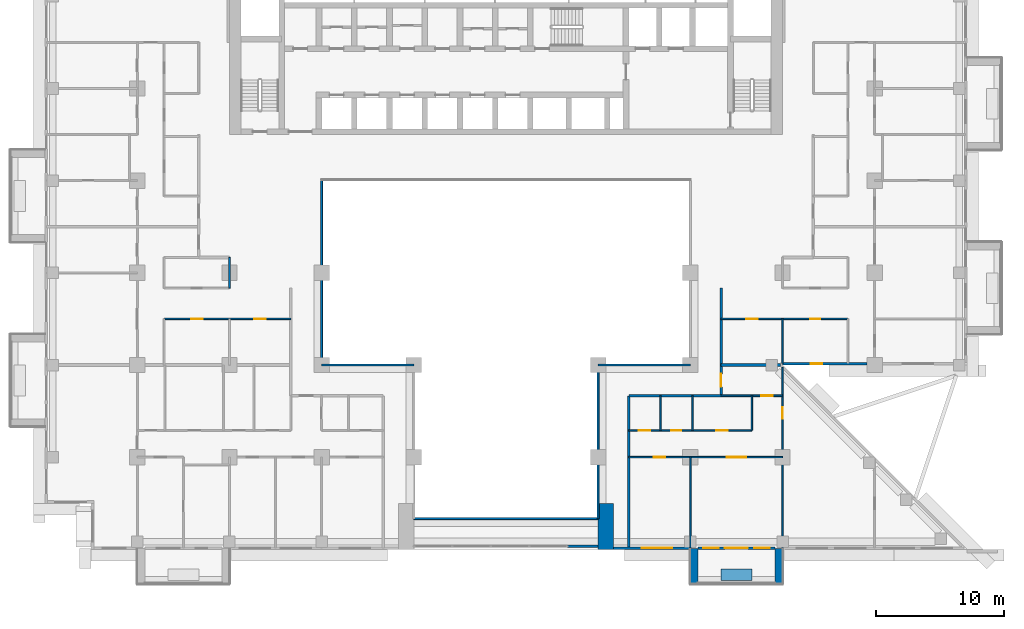
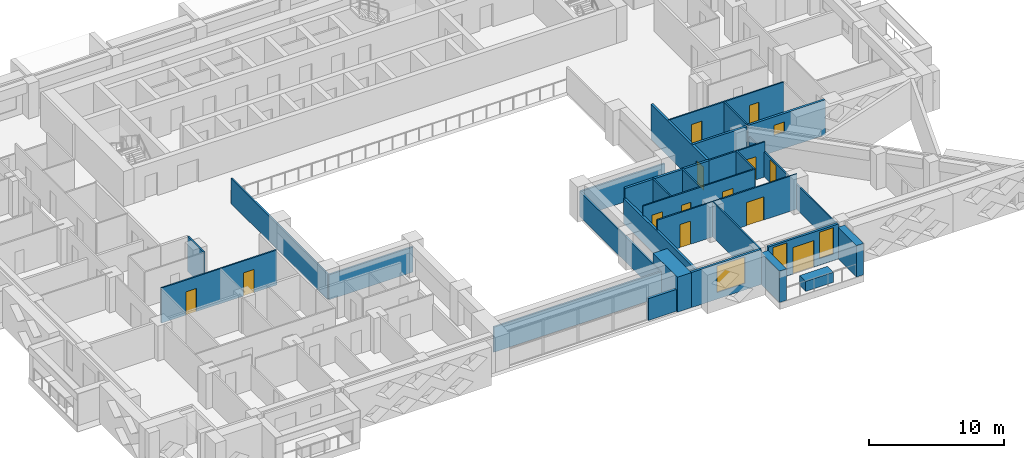
# One storey, part 8 of 17: 29 walls, 13 doors, 4 windows, 17 openings.
"""IFC4 building model written with IfcOpenShell, lengths in metres."""

import ifcopenshell
import ifcopenshell.guid

model = None  # the IFC model being written
_history = None  # IfcOwnerHistory: only IFC2X3 demands one
_inside = {}  # id of a spatial element -> (the spatial element, [elements in it])
_under = {}  # id of a project, library or spatial element -> (it, [spatial elements below it])
_declared = {}  # id of a project -> (the project, [libraries it declares])
_typed = {}  # id of a type object -> (the type object, [elements of that type])
_made_of = {}  # id of a material, layer set ... -> (it, [elements and type objects made of it])


def new_model(schema):
    """Start an empty IFC model of exactly this schema.

    Asked for "IFC4X3", IfcOpenShell would pick the latest addendum, in which some entities
    have other attributes; the version numbers below select the first issue.
    IFC2X3 requires an IfcOwnerHistory on every rooted entity: one is made here for all.
    """
    global model, _history
    if schema == "IFC4X3":
        model = ifcopenshell.file(schema_version=(4, 3, 0, 0))
    else:
        model = ifcopenshell.file(schema=schema)
    _inside.clear()
    _under.clear()
    _declared.clear()
    _typed.clear()
    _made_of.clear()
    _history = None
    if model.schema == "IFC2X3":
        org = make("IfcOrganization", Name="unknown")
        user = make(
            "IfcPersonAndOrganization",
            ThePerson=make("IfcPerson", FamilyName="unknown"),
            TheOrganization=org,
        )
        app = make(
            "IfcApplication",
            ApplicationDeveloper=org,
            Version="unknown",
            ApplicationFullName="unknown",
            ApplicationIdentifier="unknown",
        )
        _history = make(
            "IfcOwnerHistory",
            OwningUser=user,
            OwningApplication=app,
            ChangeAction="ADDED",
            CreationDate=0,
        )
    return model


def make(cls, **values):
    """One entity of the class cls with the attributes given. An attribute that is None is left unset."""
    return model.create_entity(
        cls, **{name: value for name, value in values.items() if value is not None}
    )


def rooted(cls, **values):
    """An entity with a GlobalId (a new one), such as an element, a storey or a relation."""
    return make(cls, GlobalId=ifcopenshell.guid.new(), OwnerHistory=_history, **values)


def si_unit(unit_type, name, prefix=None):
    """IfcSIUnit, for example si_unit("LENGTHUNIT", "METRE", prefix="MILLI")."""
    return make("IfcSIUnit", UnitType=unit_type, Prefix=prefix, Name=name)


def assignment(units):
    """IfcUnitAssignment: the units of a project."""
    return None if units is None else make("IfcUnitAssignment", Units=units)


def point(xyz):
    """IfcCartesianPoint."""
    return None if xyz is None else make("IfcCartesianPoint", Coordinates=xyz)


def direction(xyz):
    """IfcDirection."""
    return None if xyz is None else make("IfcDirection", DirectionRatios=xyz)


def frame(location, z_axis=None, x_axis=None):
    """IfcAxis2Placement3D, a coordinate frame: its origin and axes. An axis left out is left unset."""
    return make(
        "IfcAxis2Placement3D",
        Location=point(location),
        Axis=direction(z_axis),
        RefDirection=direction(x_axis),
    )


def frame_2d(location, x_axis=None):
    """IfcAxis2Placement2D, a coordinate frame in the plane: its origin and x axis."""
    return make(
        "IfcAxis2Placement2D", Location=point(location), RefDirection=direction(x_axis)
    )


def origin():
    """The frame at (0, 0, 0) with its axes left unset."""
    return frame((0.0, 0.0, 0.0))


def place(relative_to, where):
    """IfcLocalPlacement: puts the frame where relative to a parent placement (None: the world)."""
    return make(
        "IfcLocalPlacement", PlacementRelTo=relative_to, RelativePlacement=where
    )


def context(
    kind, dimensions, precision=None, world=None, true_north=None, identifier=None
):
    """IfcGeometricRepresentationContext, for example the 3D "Model" context."""
    return make(
        "IfcGeometricRepresentationContext",
        ContextIdentifier=identifier,
        ContextType=kind,
        CoordinateSpaceDimension=dimensions,
        Precision=precision,
        WorldCoordinateSystem=world,
        TrueNorth=true_north,
    )


def subcontext(parent, identifier, kind, view, scale=None):
    """IfcGeometricRepresentationSubContext, for example "Body" below "Model"."""
    return make(
        "IfcGeometricRepresentationSubContext",
        ContextIdentifier=identifier,
        ContextType=kind,
        ParentContext=parent,
        TargetScale=scale,
        TargetView=view,
    )


def project(units=None, contexts=None):
    """IfcProject with its units and contexts."""
    return rooted(
        "IfcProject",
        Name="project",
        RepresentationContexts=contexts,
        UnitsInContext=assignment(units),
    )


def spatial(cls, under=None, at=None, **own):
    """A site, building, storey or space (cls), placed at a placement, below another one or the project."""
    s = rooted(cls, ObjectPlacement=at, **own)
    if under is not None:
        _under.setdefault(under.id(), (under, []))[1].append(s)
    return s


def profile(cls, at=None, kind="AREA", **sizes):
    """A parametric profile (cls). Its sizes go by their IFC names, for example OverallWidth=200.0."""
    return make(cls, ProfileType=kind, Position=at, **sizes)


def rectangle(**sizes):
    """IfcRectangleProfileDef."""
    return profile("IfcRectangleProfileDef", **sizes)


def extrude(swept, where, along, depth):
    """IfcExtrudedAreaSolid: the profile swept, set in the frame where, extruded along a direction by depth."""
    return make(
        "IfcExtrudedAreaSolid",
        SweptArea=swept,
        Position=where,
        ExtrudedDirection=direction(along),
        Depth=depth,
    )


def shape(context_of_items, identifier, shape_type, items):
    """IfcShapeRepresentation: the items that make up one representation, for example the "Body"."""
    return make(
        "IfcShapeRepresentation",
        ContextOfItems=context_of_items,
        RepresentationIdentifier=identifier,
        RepresentationType=shape_type,
        Items=items,
    )


def material(Name=None, Category=None):
    """IfcMaterial."""
    return make("IfcMaterial", Name=Name, Category=Category)


def layer(
    of_material, thickness, ventilated=None, Name=None, Category=None, Priority=None
):
    """IfcMaterialLayer: one layer of a wall or slab, of a material (None: an air gap)."""
    return make(
        "IfcMaterialLayer",
        Material=of_material,
        LayerThickness=thickness,
        IsVentilated=ventilated,
        Name=Name,
        Category=Category,
        Priority=Priority,
    )


def layer_set(layers, Name=None):
    """IfcMaterialLayerSet."""
    return make("IfcMaterialLayerSet", MaterialLayers=layers, LayerSetName=Name)


def made_of(thing, what):
    """Note that an element or type object is made of a material, layer set ...; save() writes the relation."""
    if what is not None:
        _made_of.setdefault(what.id(), (what, []))[1].append(thing)
    return thing


def type_object(cls, material=None, **own):
    """A type object (cls), such as IfcWallType, which elements share."""
    return made_of(rooted(cls, **own), material)


def element(
    cls,
    number,
    at=None,
    inside=None,
    cuts=None,
    type_object=None,
    material=None,
    context=None,
    identifier="Body",
    shape_type=None,
    held_by="IfcProductDefinitionShape",
    body=None,
    shapes=None,
    **own,
):
    """One element of the class cls, such as IfcWall. Its Tag is "e" and its number.

    at: its placement. inside: the storey or other place that contains it. cuts: it is an
    opening in that element (IfcRelVoidsElement). A single representation is given by context,
    identifier, shape_type and body (its items); several are given by shapes. held_by: the class
    of the entity that holds the representations. save() writes the other relations.
    """
    e = rooted(cls, Tag="e%d" % number, ObjectPlacement=at, **own)
    if body is not None:
        shapes = [shape(context, identifier, shape_type, body)]
    if shapes is not None:
        e.Representation = make(held_by, Representations=shapes)
    if inside is not None:
        _inside.setdefault(inside.id(), (inside, []))[1].append(e)
    if cuts is not None:
        rooted(
            "IfcRelVoidsElement", RelatingBuildingElement=cuts, RelatedOpeningElement=e
        )
    if type_object is not None:
        _typed.setdefault(type_object.id(), (type_object, []))[1].append(e)
    return made_of(e, material)


def fill(opening, filler):
    """IfcRelFillsElement: the door or window that sits in an opening."""
    return rooted(
        "IfcRelFillsElement",
        RelatingOpeningElement=opening,
        RelatedBuildingElement=filler,
    )


def aggregate(whole, parts):
    """IfcRelAggregates: a whole, such as a stair, and the parts it consists of."""
    return rooted("IfcRelAggregates", RelatingObject=whole, RelatedObjects=parts)


def save(model, path):
    """Write the relations noted so far, then the file.

    IfcRelAggregates (storeys below a building ...), IfcRelContainedInSpatialStructure (elements
    in a storey), IfcRelDefinesByType, IfcRelAssociatesMaterial and IfcRelDeclares: one each for
    every whole, place, type object, material and project.
    """
    for whole, parts in _under.values():
        aggregate(whole, parts)
    for where, things in _inside.values():
        rooted(
            "IfcRelContainedInSpatialStructure",
            RelatedElements=things,
            RelatingStructure=where,
        )
    for kind, things in _typed.values():
        rooted("IfcRelDefinesByType", RelatedObjects=things, RelatingType=kind)
    for what, things in _made_of.values():
        rooted("IfcRelAssociatesMaterial", RelatedObjects=things, RelatingMaterial=what)
    for by, libraries in _declared.values():
        rooted("IfcRelDeclares", RelatingContext=by, RelatedDefinitions=libraries)
    model.write(path)


model = new_model("IFC4")

# Units and contexts
model_context = context("Model", 3, precision=1e-05, world=origin(), true_north=direction((0.0, 1.0)))
body_context = subcontext(model_context, "Body", "Model", "MODEL_VIEW")
ifc_project = project(units=[si_unit("LENGTHUNIT", "METRE"), si_unit("AREAUNIT", "SQUARE_METRE"), si_unit("VOLUMEUNIT", "CUBIC_METRE"), si_unit("PLANEANGLEUNIT", "RADIAN"), si_unit("MASSUNIT", "GRAM", prefix="KILO")], contexts=[model_context])

# Site, building, storey
site_placement = place(None, origin())
site = spatial("IfcSite", under=ifc_project, at=site_placement, CompositionType="ELEMENT")
building_placement = place(site_placement, origin())
building = spatial("IfcBuilding", under=site, at=building_placement, Name="Saffron Iwan Residences", CompositionType="ELEMENT")
storey_placement = place(building_placement, frame((0.0, 0.0, 93.5)))
storey = spatial("IfcBuildingStorey", under=building, at=storey_placement, Name="L24", CompositionType="ELEMENT", Elevation=93.5)

# Walls
ifc_material_1 = material(Name="Fire-rated glazing", Category="glass")
ifc_layer_1 = layer(ifc_material_1, 0.14990234375)
ifc_layer_set_1 = layer_set([ifc_layer_1], Name="Fire-rated glazing")
wall_type_1 = type_object("IfcWallType", Name="Atrium glazed screen 150", PredefinedType="SOLIDWALL", material=ifc_layer_set_1)
wall_1_placement = place(storey_placement, frame((43.199951171875, 36.0, 0.0), z_axis=(0.0, 0.0, 1.0), x_axis=(1.0, 0.0, 0.0)))
element("IfcWall", 1, at=wall_1_placement, inside=storey, type_object=wall_type_1, Name="W-L24-SCREEN-h36-43.2", PredefinedType="SOLIDWALL", context=body_context, shape_type="SweptSolid", body=[
    extrude(rectangle(XDim=14.400146484375, YDim=0.14990234375, at=frame_2d((7.2001953125, 0.0))), origin(), (0.0, 0.0, 1.0), 2.280029296875),
])
for number, where, z_axis, x_axis, name in (
    (2, (36.0, 48.0, 0.0), (0.0, 0.0, 1.0), (1.0, 0.0, 0.0), "W-L24-SCREEN-h48-36"),
    (3, (57.60009765625, 48.0, 0.0), (0.0, 0.0, 1.0), (1.0, 0.0, 0.0), "W-L24-SCREEN-h48-57.6"),
):
    element("IfcWall", number, at=place(storey_placement, frame(where, z_axis=z_axis, x_axis=x_axis)), inside=storey, type_object=wall_type_1, Name=name, PredefinedType="SOLIDWALL", context=body_context, shape_type="SweptSolid", body=[
        extrude(rectangle(XDim=7.199951171875, YDim=0.14990234375, at=frame_2d((3.60009765625, 0.0))), origin(), (0.0, 0.0, 1.0), 2.280029296875),
    ])
wall_2_placement = place(storey_placement, frame((36.0, 48.0, 0.0), z_axis=(0.0, 0.0, 1.0), x_axis=(0.0, 1.0, 0.0)))
element("IfcWall", 4, at=wall_2_placement, inside=storey, type_object=wall_type_1, Name="W-L24-SCREEN-v36-48", PredefinedType="SOLIDWALL", context=body_context, shape_type="SweptSolid", body=[
    extrude(rectangle(XDim=14.39990234375, YDim=0.14990234375, at=frame_2d((7.199951171875, 0.0))), origin(), (0.0, 0.0, 1.0), 2.280029296875),
])
wall_3_placement = place(storey_placement, frame((57.60009765625, 36.0, 0.0), z_axis=(0.0, 0.0, 1.0), x_axis=(0.0, 1.0, 0.0)))
element("IfcWall", 5, at=wall_3_placement, inside=storey, type_object=wall_type_1, Name="W-L24-SCREEN-v57.6-36", PredefinedType="SOLIDWALL", context=body_context, shape_type="SweptSolid", body=[
    extrude(rectangle(XDim=12.0, YDim=0.14990234375, at=frame_2d((6.0, 0.0))), origin(), (0.0, 0.0, 1.0), 2.280029296875),
])
ifc_material_2 = material(Name="Concrete C50/60 white painted", Category="concrete")
ifc_layer_2 = layer(ifc_material_2, 0.60009765625)
ifc_layer_set_2 = layer_set([ifc_layer_2], Name="Concrete C50/60 white painted")
wall_type_2 = type_object("IfcWallType", Name="BALCONY FIN 600", PredefinedType="SOLIDWALL", material=ifc_layer_set_2)
for number, where, z_axis, x_axis, name in (
    (6, (65.10009765625, 33.64990234375, 0.0), (0.0, 0.0, 1.0), (0.0, -1.0, 0.0), "Balcony fin L24 11-1a"),
    (7, (71.699951171875, 33.64990234375, 0.0), (0.0, 0.0, 1.0), (0.0, -1.0, 0.0), "Balcony fin L24 11-1b"),
):
    element("IfcWall", number, at=place(storey_placement, frame(where, z_axis=z_axis, x_axis=x_axis)), inside=storey, type_object=wall_type_2, Name=name, PredefinedType="SOLIDWALL", context=body_context, shape_type="SweptSolid", body=[
        extrude(rectangle(XDim=2.75, YDim=0.60009765625, at=frame_2d((1.375, 0.0))), origin(), (0.0, 0.0, 1.0), 2.85009765625),
    ])
ifc_material_3 = material(Name="Concrete C35/45 white painted", Category="concrete")
ifc_layer_3 = layer(ifc_material_3, 0.14990234375)
ifc_layer_set_3 = layer_set([ifc_layer_3], Name="Concrete C35/45 white painted")
wall_type_3 = type_object("IfcWallType", Name="BALCONY PLANTER", PredefinedType="SOLIDWALL", material=ifc_layer_set_3)
wall_4_placement = place(storey_placement, frame((67.199951171875, 31.625, 0.0), z_axis=(0.0, 0.0, 1.0), x_axis=(1.0, 0.0, 0.0)))
element("IfcWall", 8, at=wall_4_placement, inside=storey, type_object=wall_type_3, Name="PLANTER L24 11-1", PredefinedType="SOLIDWALL", context=body_context, shape_type="SweptSolid", body=[
    extrude(rectangle(XDim=2.400146484375, YDim=0.89990234375, at=frame_2d((1.2001953125, 0.0))), origin(), (0.0, 0.0, 1.0), 0.89990234375),
])

# Wall, opening, window
ifc_material_4 = material(Name="Concrete C40/50", Category="concrete")
ifc_layer_4 = layer(ifc_material_4, 0.199951171875)
ifc_layer_set_4 = layer_set([ifc_layer_4], Name="Concrete C40/50")
wall_type_4 = type_object("IfcWallType", Name="EXTERNAL WALL 200", PredefinedType="SOLIDWALL", material=ifc_layer_set_4)
wall_5_placement = place(storey_placement, frame((71.988525390625, 48.10009765625, 0.0), z_axis=(0.0, 0.0, 1.0), x_axis=(1.0, 0.0, 0.0)))
wall_5 = element("IfcWall", 9, at=wall_5_placement, inside=storey, type_object=wall_type_4, Name="External wall L24 F1.0", PredefinedType="SOLIDWALL", context=body_context, shape_type="SweptSolid", body=[
    extrude(rectangle(XDim=6.611572265625, YDim=0.199951171875, at=frame_2d((3.3056640625, 0.0))), origin(), (0.0, 0.0, 1.0), 3.179931640625),
])
opening_1_placement = place(wall_5_placement, frame((2.205810546875, 0.0, 1.5)))
opening_1 = element("IfcOpeningElement", 10, at=opening_1_placement, cuts=wall_5, Name="Opening W6", PredefinedType="OPENING", context=body_context, shape_type="SweptSolid", body=[
    extrude(rectangle(XDim=0.89990234375, YDim=0.89990234375, at=frame_2d((0.449951171875, 0.449951171875))), frame((0.0, 0.10986328125, 0.0), z_axis=(0.0, -1.0, 0.0), x_axis=(1.0, 0.0, 0.0)), (0.0, 0.0, 1.0), 0.219970703125),
])
ifc_material_5 = material(Name="Clear glass, laminated double glazed", Category="glass")
window_type_1 = type_object("IfcWindowType", Name="WINDOW 900 x 900 BATH", PartitioningType="SINGLE_PANEL", PredefinedType="WINDOW", material=ifc_material_5)
window_1_placement = place(opening_1_placement, origin())
window_1 = element("IfcWindow", 11, at=window_1_placement, inside=storey, type_object=window_type_1, Name="Window L24 F1.0", OverallHeight=0.89990234375, OverallWidth=0.89990234375, PartitioningType="SINGLE_PANEL", PredefinedType="WINDOW", context=body_context, shape_type="SweptSolid", body=[
    extrude(rectangle(XDim=0.89990234375, YDim=0.89990234375, at=frame_2d((0.449951171875, 0.449951171875))), frame((0.0, 0.030029296875, 0.0), z_axis=(0.0, -1.0, 0.0), x_axis=(1.0, 0.0, 0.0)), (0.0, 0.0, 1.0), 0.06005859375),
])
fill(opening_1, window_1)

wall_6_placement = place(storey_placement, frame((58.800048828125, 33.699951171875, 0.0), z_axis=(0.0, 0.0, 1.0), x_axis=(1.0, 0.0, 0.0)))
wall_6 = element("IfcWall", 12, at=wall_6_placement, inside=storey, type_object=wall_type_4, Name="External wall L24 F11.3", PredefinedType="SOLIDWALL", context=body_context, shape_type="SweptSolid", body=[
    extrude(rectangle(XDim=6.0, YDim=0.199951171875, at=frame_2d((3.0, 0.0))), origin(), (0.0, 0.0, 1.0), 3.179931640625),
])
opening_2_placement = place(wall_6_placement, frame((2.199951171875, 0.0, 0.60009765625)))
opening_2 = element("IfcOpeningElement", 13, at=opening_2_placement, cuts=wall_6, Name="Opening W1", PredefinedType="OPENING", context=body_context, shape_type="SweptSolid", body=[
    extrude(rectangle(XDim=2.39990234375, YDim=2.39990234375, at=frame_2d((1.199951171875, 1.199951171875))), frame((0.0, 0.10986328125, 0.0), z_axis=(0.0, -1.0, 0.0), x_axis=(1.0, 0.0, 0.0)), (0.0, 0.0, 1.0), 0.219970703125),
])
window_type_2 = type_object("IfcWindowType", Name="WINDOW 2400 x 2400", PartitioningType="DOUBLE_PANEL_VERTICAL", PredefinedType="WINDOW", material=ifc_material_5)
window_2_placement = place(opening_2_placement, origin())
window_2 = element("IfcWindow", 14, at=window_2_placement, inside=storey, type_object=window_type_2, Name="Window L24 F11.0", OverallHeight=2.39990234375, OverallWidth=2.39990234375, PartitioningType="DOUBLE_PANEL_VERTICAL", PredefinedType="WINDOW", context=body_context, shape_type="SweptSolid", body=[
    extrude(rectangle(XDim=2.39990234375, YDim=2.39990234375, at=frame_2d((1.199951171875, 1.199951171875))), frame((0.0, 0.030029296875, 0.0), z_axis=(0.0, -1.0, 0.0), x_axis=(1.0, 0.0, 0.0)), (0.0, 0.0, 1.0), 0.06005859375),
])
fill(opening_2, window_2)

# Wall, openings, door, windows
wall_7_placement = place(storey_placement, frame((65.39990234375, 33.699951171875, 0.0), z_axis=(0.0, 0.0, 1.0), x_axis=(1.0, 0.0, 0.0)))
wall_7 = element("IfcWall", 15, at=wall_7_placement, inside=storey, type_object=wall_type_4, Name="External wall L24 F11.4", PredefinedType="SOLIDWALL", context=body_context, shape_type="SweptSolid", body=[
    extrude(rectangle(XDim=6.0, YDim=0.199951171875, at=frame_2d((3.0, 0.0))), origin(), (0.0, 0.0, 1.0), 3.179931640625),
])
opening_3_placement = place(wall_7_placement, frame((2.10009765625, 0.0, 0.0)))
opening_3 = element("IfcOpeningElement", 16, at=opening_3_placement, cuts=wall_7, Name="Opening BD1", PredefinedType="OPENING", context=body_context, shape_type="SweptSolid", body=[
    extrude(rectangle(XDim=1.800048828125, YDim=2.39990234375, at=frame_2d((0.89990234375, 1.199951171875))), frame((0.0, 0.10986328125, 0.0), z_axis=(0.0, -1.0, 0.0), x_axis=(1.0, 0.0, 0.0)), (0.0, 0.0, 1.0), 0.219970703125),
])
opening_4_placement = place(wall_7_placement, frame((0.39990234375, 0.0, 0.60009765625)))
opening_4 = element("IfcOpeningElement", 17, at=opening_4_placement, cuts=wall_7, Name="Opening W3", PredefinedType="OPENING", context=body_context, shape_type="SweptSolid", body=[
    extrude(rectangle(XDim=1.199951171875, YDim=2.39990234375, at=frame_2d((0.60009765625, 1.199951171875))), frame((0.0, 0.10986328125, 0.0), z_axis=(0.0, -1.0, 0.0), x_axis=(1.0, 0.0, 0.0)), (0.0, 0.0, 1.0), 0.219970703125),
])
opening_5_placement = place(wall_7_placement, frame((4.39990234375, 0.0, 0.60009765625)))
opening_5 = element("IfcOpeningElement", 18, at=opening_5_placement, cuts=wall_7, Name="Opening W3", PredefinedType="OPENING", context=body_context, shape_type="SweptSolid", body=[
    extrude(rectangle(XDim=1.199951171875, YDim=2.39990234375, at=frame_2d((0.60009765625, 1.199951171875))), frame((0.0, 0.10986328125, 0.0), z_axis=(0.0, -1.0, 0.0), x_axis=(1.0, 0.0, 0.0)), (0.0, 0.0, 1.0), 0.219970703125),
])
door_type_1 = type_object("IfcDoorType", Name="BALCONY DOOR 1800 x 2400", OperationType="DOUBLE_DOOR_SLIDING", PredefinedType="DOOR", material=ifc_material_5)
door_1_placement = place(opening_3_placement, origin())
door_1 = element("IfcDoor", 19, at=door_1_placement, inside=storey, type_object=door_type_1, Name="Balcony door L24 F11.0", OperationType="DOUBLE_DOOR_SLIDING", OverallHeight=2.39990234375, OverallWidth=1.800048828125, PredefinedType="DOOR", context=body_context, shape_type="SweptSolid", body=[
    extrude(rectangle(XDim=1.800048828125, YDim=2.39990234375, at=frame_2d((0.89990234375, 1.199951171875))), frame((0.0, 0.02490234375, 0.0), z_axis=(0.0, -1.0, 0.0), x_axis=(1.0, 0.0, 0.0)), (0.0, 0.0, 1.0), 0.050048828125),
])
fill(opening_3, door_1)
window_type_3 = type_object("IfcWindowType", Name="WINDOW 1200 x 2400", PartitioningType="SINGLE_PANEL", PredefinedType="WINDOW", material=ifc_material_5)
window_3_placement = place(opening_4_placement, origin())
window_3 = element("IfcWindow", 20, at=window_3_placement, inside=storey, type_object=window_type_3, Name="Window L24 F11.1", OverallHeight=2.39990234375, OverallWidth=1.199951171875, PartitioningType="SINGLE_PANEL", PredefinedType="WINDOW", context=body_context, shape_type="SweptSolid", body=[
    extrude(rectangle(XDim=1.199951171875, YDim=2.39990234375, at=frame_2d((0.60009765625, 1.199951171875))), frame((0.0, 0.030029296875, 0.0), z_axis=(0.0, -1.0, 0.0), x_axis=(1.0, 0.0, 0.0)), (0.0, 0.0, 1.0), 0.06005859375),
])
fill(opening_4, window_3)
window_4_placement = place(opening_5_placement, origin())
window_4 = element("IfcWindow", 21, at=window_4_placement, inside=storey, type_object=window_type_3, Name="Window L24 F11.2", OverallHeight=2.39990234375, OverallWidth=1.199951171875, PartitioningType="SINGLE_PANEL", PredefinedType="WINDOW", context=body_context, shape_type="SweptSolid", body=[
    extrude(rectangle(XDim=1.199951171875, YDim=2.39990234375, at=frame_2d((0.60009765625, 1.199951171875))), frame((0.0, 0.030029296875, 0.0), z_axis=(0.0, -1.0, 0.0), x_axis=(1.0, 0.0, 0.0)), (0.0, 0.0, 1.0), 0.06005859375),
])
fill(opening_5, window_4)

# Walls
wall_8_placement = place(storey_placement, frame((55.199951171875, 33.85009765625, 0.0), z_axis=(0.0, 0.0, 1.0), x_axis=(1.0, 0.0, 0.0)))
element("IfcWall", 22, at=wall_8_placement, inside=storey, type_object=wall_type_4, Name="External wall infill CWB-L24-0", PredefinedType="SOLIDWALL", context=body_context, shape_type="SweptSolid", body=[
    extrude(rectangle(XDim=2.400146484375, YDim=0.199951171875, at=frame_2d((1.2001953125, 0.0))), origin(), (0.0, 0.0, 1.0), 1.97998046875),
])
ifc_material_6 = material(Name="Fire-rated gypsum board wall")
ifc_layer_5 = layer(ifc_material_6, 0.199951171875)
ifc_layer_set_5 = layer_set([ifc_layer_5], Name="Fire-rated gypsum board wall")
wall_type_5 = type_object("IfcWallType", Name="Flat demising wall 200", PredefinedType="SOLIDWALL", material=ifc_layer_set_5)
wall_9_placement = place(storey_placement, frame((67.199951171875, 48.0, 0.0), z_axis=(0.0, 0.0, 1.0), x_axis=(1.0, 0.0, 0.0)))
element("IfcWall", 23, at=wall_9_placement, inside=storey, type_object=wall_type_5, Name="W-L24-DEMISE-h48-67.2", PredefinedType="SOLIDWALL", context=body_context, shape_type="SweptSolid", body=[
    extrude(rectangle(XDim=4.623046875, YDim=0.199951171875, at=frame_2d((2.3115234375, 0.0))), origin(), (0.0, 0.0, 1.0), 3.179931640625),
])

# Wall, openings, doors
ifc_material_7 = material(Name="Gypsum board partition")
ifc_layer_6 = layer(ifc_material_7, 0.1201171875)
ifc_layer_set_6 = layer_set([ifc_layer_6], Name="Gypsum board partition")
wall_type_6 = type_object("IfcWallType", Name="Flat partition 120", PredefinedType="PARTITIONING", material=ifc_layer_set_6)
wall_10_placement = place(storey_placement, frame((60.0, 40.800048828125, 0.0), z_axis=(0.0, 0.0, 1.0), x_axis=(1.0, 0.0, 0.0)))
wall_10 = element("IfcWall", 24, at=wall_10_placement, inside=storey, type_object=wall_type_6, Name="W-L24-PART-h40.8-60", PredefinedType="PARTITIONING", context=body_context, shape_type="SweptSolid", body=[
    extrude(rectangle(XDim=12.0, YDim=0.1201171875, at=frame_2d((6.0, 0.0))), origin(), (0.0, 0.0, 1.0), 3.179931640625),
])
opening_6_placement = place(wall_10_placement, frame((7.64990234375, 0.0, 0.0)))
opening_6 = element("IfcOpeningElement", 25, at=opening_6_placement, cuts=wall_10, Name="Opening FD4", PredefinedType="OPENING", context=body_context, shape_type="SweptSolid", body=[
    extrude(rectangle(XDim=1.5, YDim=2.10009765625, at=frame_2d((0.75, 1.050048828125))), frame((0.0, 0.070068359375, 0.0), z_axis=(0.0, -1.0, 0.0), x_axis=(1.0, 0.0, 0.0)), (0.0, 0.0, 1.0), 0.14013671875),
])
opening_7_placement = place(wall_10_placement, frame((1.949951171875, 0.0, 0.0)))
opening_7 = element("IfcOpeningElement", 26, at=opening_7_placement, cuts=wall_10, Name="Opening FD2", PredefinedType="OPENING", context=body_context, shape_type="SweptSolid", body=[
    extrude(rectangle(XDim=0.89990234375, YDim=2.10009765625, at=frame_2d((0.449951171875, 1.050048828125))), frame((0.0, 0.070068359375, 0.0), z_axis=(0.0, -1.0, 0.0), x_axis=(1.0, 0.0, 0.0)), (0.0, 0.0, 1.0), 0.14013671875),
])
ifc_material_8 = material(Name="Timber door", Category="wood")
door_type_2 = type_object("IfcDoorType", Name="Double door 1500", OperationType="NOTDEFINED", PredefinedType="DOOR", material=ifc_material_8)
door_2_placement = place(opening_6_placement, origin())
door_2 = element("IfcDoor", 27, at=door_2_placement, inside=storey, type_object=door_type_2, Name="Door L24-046", OperationType="SINGLE_SWING_RIGHT", OverallHeight=2.10009765625, OverallWidth=1.5, PredefinedType="DOOR", context=body_context, shape_type="SweptSolid", body=[
    extrude(rectangle(XDim=1.5, YDim=2.10009765625, at=frame_2d((0.75, 1.050048828125))), frame((0.0, 0.02490234375, 0.0), z_axis=(0.0, -1.0, 0.0), x_axis=(1.0, 0.0, 0.0)), (0.0, 0.0, 1.0), 0.050048828125),
])
fill(opening_6, door_2)
door_type_3 = type_object("IfcDoorType", Name="Flat door 900", OperationType="NOTDEFINED", PredefinedType="DOOR", material=ifc_material_8)
door_3_placement = place(opening_7_placement, origin())
door_3 = element("IfcDoor", 28, at=door_3_placement, inside=storey, type_object=door_type_3, Name="Door L24-047", OperationType="SINGLE_SWING_LEFT", OverallHeight=2.10009765625, OverallWidth=0.89990234375, PredefinedType="DOOR", context=body_context, shape_type="SweptSolid", body=[
    extrude(rectangle(XDim=0.89990234375, YDim=2.10009765625, at=frame_2d((0.449951171875, 1.050048828125))), frame((0.0, 0.02490234375, 0.0), z_axis=(0.0, -1.0, 0.0), x_axis=(1.0, 0.0, 0.0)), (0.0, 0.0, 1.0), 0.050048828125),
])
fill(opening_7, door_3)

wall_11_placement = place(storey_placement, frame((60.0, 42.89990234375, 0.0), z_axis=(0.0, 0.0, 1.0), x_axis=(1.0, 0.0, 0.0)))
wall_11 = element("IfcWall", 29, at=wall_11_placement, inside=storey, type_object=wall_type_6, Name="W-L24-PART-h42.9-60", PredefinedType="PARTITIONING", context=body_context, shape_type="SweptSolid", body=[
    extrude(rectangle(XDim=9.60009765625, YDim=0.1201171875, at=frame_2d((4.800048828125, 0.0))), origin(), (0.0, 0.0, 1.0), 3.179931640625),
])
opening_8_placement = place(wall_11_placement, frame((6.824951171875, 0.0, 0.0)))
opening_8 = element("IfcOpeningElement", 30, at=opening_8_placement, cuts=wall_11, Name="Opening FD2", PredefinedType="OPENING", context=body_context, shape_type="SweptSolid", body=[
    extrude(rectangle(XDim=0.89990234375, YDim=2.10009765625, at=frame_2d((0.449951171875, 1.050048828125))), frame((0.0, 0.070068359375, 0.0), z_axis=(0.0, -1.0, 0.0), x_axis=(1.0, 0.0, 0.0)), (0.0, 0.0, 1.0), 0.14013671875),
])
opening_9_placement = place(wall_11_placement, frame((3.300048828125, 0.0, 0.0)))
opening_9 = element("IfcOpeningElement", 31, at=opening_9_placement, cuts=wall_11, Name="Opening FD3", PredefinedType="OPENING", context=body_context, shape_type="SweptSolid", body=[
    extrude(rectangle(XDim=0.800048828125, YDim=2.10009765625, at=frame_2d((0.39990234375, 1.050048828125))), frame((0.0, 0.070068359375, 0.0), z_axis=(0.0, -1.0, 0.0), x_axis=(1.0, 0.0, 0.0)), (0.0, 0.0, 1.0), 0.14013671875),
])
opening_10_placement = place(wall_11_placement, frame((0.77490234375, 0.0, 0.0)))
opening_10 = element("IfcOpeningElement", 32, at=opening_10_placement, cuts=wall_11, Name="Opening FD2", PredefinedType="OPENING", context=body_context, shape_type="SweptSolid", body=[
    extrude(rectangle(XDim=0.89990234375, YDim=2.10009765625, at=frame_2d((0.449951171875, 1.050048828125))), frame((0.0, 0.070068359375, 0.0), z_axis=(0.0, -1.0, 0.0), x_axis=(1.0, 0.0, 0.0)), (0.0, 0.0, 1.0), 0.14013671875),
])
door_type_4 = type_object("IfcDoorType", Name="Bathroom door 800", OperationType="NOTDEFINED", PredefinedType="DOOR", material=ifc_material_8)
door_4_placement = place(opening_9_placement, origin())
door_4 = element("IfcDoor", 33, at=door_4_placement, inside=storey, type_object=door_type_4, Name="Door L24-049", OperationType="SINGLE_SWING_RIGHT", OverallHeight=2.10009765625, OverallWidth=0.800048828125, PredefinedType="DOOR", context=body_context, shape_type="SweptSolid", body=[
    extrude(rectangle(XDim=0.800048828125, YDim=2.10009765625, at=frame_2d((0.39990234375, 1.050048828125))), frame((0.0, 0.02490234375, 0.0), z_axis=(0.0, -1.0, 0.0), x_axis=(1.0, 0.0, 0.0)), (0.0, 0.0, 1.0), 0.050048828125),
])
fill(opening_9, door_4)
door_5_placement = place(opening_8_placement, origin())
door_5 = element("IfcDoor", 34, at=door_5_placement, inside=storey, type_object=door_type_3, Name="Door L24-048", OperationType="SINGLE_SWING_LEFT", OverallHeight=2.10009765625, OverallWidth=0.89990234375, PredefinedType="DOOR", context=body_context, shape_type="SweptSolid", body=[
    extrude(rectangle(XDim=0.89990234375, YDim=2.10009765625, at=frame_2d((0.449951171875, 1.050048828125))), frame((0.0, 0.02490234375, 0.0), z_axis=(0.0, -1.0, 0.0), x_axis=(1.0, 0.0, 0.0)), (0.0, 0.0, 1.0), 0.050048828125),
])
fill(opening_8, door_5)
door_6_placement = place(opening_10_placement, origin())
door_6 = element("IfcDoor", 35, at=door_6_placement, inside=storey, type_object=door_type_3, Name="Door L24-050", OperationType="SINGLE_SWING_LEFT", OverallHeight=2.10009765625, OverallWidth=0.89990234375, PredefinedType="DOOR", context=body_context, shape_type="SweptSolid", body=[
    extrude(rectangle(XDim=0.89990234375, YDim=2.10009765625, at=frame_2d((0.449951171875, 1.050048828125))), frame((0.0, 0.02490234375, 0.0), z_axis=(0.0, -1.0, 0.0), x_axis=(1.0, 0.0, 0.0)), (0.0, 0.0, 1.0), 0.050048828125),
])
fill(opening_10, door_6)

# Wall, opening, door
wall_12_placement = place(storey_placement, frame((67.199951171875, 45.60009765625, 0.0), z_axis=(0.0, 0.0, 1.0), x_axis=(1.0, 0.0, 0.0)))
wall_12 = element("IfcWall", 36, at=wall_12_placement, inside=storey, type_object=wall_type_6, Name="W-L24-PART-h45.6-67.2", PredefinedType="PARTITIONING", context=body_context, shape_type="SweptSolid", body=[
    extrude(rectangle(XDim=4.800048828125, YDim=0.1201171875, at=frame_2d((2.39990234375, 0.0))), origin(), (0.0, 0.0, 1.0), 3.179931640625),
])
opening_11_placement = place(wall_12_placement, frame((3.14990234375, 0.0, 0.0)))
opening_11 = element("IfcOpeningElement", 37, at=opening_11_placement, cuts=wall_12, Name="Opening FD2", PredefinedType="OPENING", context=body_context, shape_type="SweptSolid", body=[
    extrude(rectangle(XDim=0.89990234375, YDim=2.10009765625, at=frame_2d((0.449951171875, 1.050048828125))), frame((0.0, 0.070068359375, 0.0), z_axis=(0.0, -1.0, 0.0), x_axis=(1.0, 0.0, 0.0)), (0.0, 0.0, 1.0), 0.14013671875),
])
door_7_placement = place(opening_11_placement, origin())
door_7 = element("IfcDoor", 38, at=door_7_placement, inside=storey, type_object=door_type_3, Name="Door L24-044", OperationType="SINGLE_SWING_LEFT", OverallHeight=2.10009765625, OverallWidth=0.89990234375, PredefinedType="DOOR", context=body_context, shape_type="SweptSolid", body=[
    extrude(rectangle(XDim=0.89990234375, YDim=2.10009765625, at=frame_2d((0.449951171875, 1.050048828125))), frame((0.0, 0.02490234375, 0.0), z_axis=(0.0, -1.0, 0.0), x_axis=(1.0, 0.0, 0.0)), (0.0, 0.0, 1.0), 0.050048828125),
])
fill(opening_11, door_7)

# Wall, openings, doors
wall_13_placement = place(storey_placement, frame((23.699951171875, 51.60009765625, 0.0), z_axis=(0.0, 0.0, 1.0), x_axis=(1.0, 0.0, 0.0)))
wall_13 = element("IfcWall", 39, at=wall_13_placement, inside=storey, type_object=wall_type_6, Name="W-L24-PART-h51.6-23.7", PredefinedType="PARTITIONING", context=body_context, shape_type="SweptSolid", body=[
    extrude(rectangle(XDim=9.900146484375, YDim=0.1201171875, at=frame_2d((4.9501953125, 0.0))), origin(), (0.0, 0.0, 1.0), 3.179931640625),
])
opening_12_placement = place(wall_13_placement, frame((2.10009765625, 0.0, 0.0)))
opening_12 = element("IfcOpeningElement", 40, at=opening_12_placement, cuts=wall_13, Name="Opening FD2", PredefinedType="OPENING", context=body_context, shape_type="SweptSolid", body=[
    extrude(rectangle(XDim=0.89990234375, YDim=2.10009765625, at=frame_2d((0.449951171875, 1.050048828125))), frame((0.0, 0.070068359375, 0.0), z_axis=(0.0, -1.0, 0.0), x_axis=(1.0, 0.0, 0.0)), (0.0, 0.0, 1.0), 0.14013671875),
])
opening_13_placement = place(wall_13_placement, frame((7.050048828125, 0.0, 0.0)))
opening_13 = element("IfcOpeningElement", 41, at=opening_13_placement, cuts=wall_13, Name="Opening FD2", PredefinedType="OPENING", context=body_context, shape_type="SweptSolid", body=[
    extrude(rectangle(XDim=0.89990234375, YDim=2.10009765625, at=frame_2d((0.449951171875, 1.050048828125))), frame((0.0, 0.070068359375, 0.0), z_axis=(0.0, -1.0, 0.0), x_axis=(1.0, 0.0, 0.0)), (0.0, 0.0, 1.0), 0.14013671875),
])
door_8_placement = place(opening_12_placement, origin())
door_8 = element("IfcDoor", 42, at=door_8_placement, inside=storey, type_object=door_type_3, Name="Door L24-017", OperationType="SINGLE_SWING_LEFT", OverallHeight=2.10009765625, OverallWidth=0.89990234375, PredefinedType="DOOR", context=body_context, shape_type="SweptSolid", body=[
    extrude(rectangle(XDim=0.89990234375, YDim=2.10009765625, at=frame_2d((0.449951171875, 1.050048828125))), frame((0.0, 0.02490234375, 0.0), z_axis=(0.0, -1.0, 0.0), x_axis=(1.0, 0.0, 0.0)), (0.0, 0.0, 1.0), 0.050048828125),
])
fill(opening_12, door_8)
door_9_placement = place(opening_13_placement, origin())
door_9 = element("IfcDoor", 43, at=door_9_placement, inside=storey, type_object=door_type_3, Name="Door L24-019", OperationType="SINGLE_SWING_RIGHT", OverallHeight=2.10009765625, OverallWidth=0.89990234375, PredefinedType="DOOR", context=body_context, shape_type="SweptSolid", body=[
    extrude(rectangle(XDim=0.89990234375, YDim=2.10009765625, at=frame_2d((0.449951171875, 1.050048828125))), frame((0.0, 0.02490234375, 0.0), z_axis=(0.0, -1.0, 0.0), x_axis=(1.0, 0.0, 0.0)), (0.0, 0.0, 1.0), 0.050048828125),
])
fill(opening_13, door_9)

wall_14_placement = place(storey_placement, frame((67.199951171875, 51.60009765625, 0.0), z_axis=(0.0, 0.0, 1.0), x_axis=(1.0, 0.0, 0.0)))
wall_14 = element("IfcWall", 44, at=wall_14_placement, inside=storey, type_object=wall_type_6, Name="W-L24-PART-h51.6-67.2", PredefinedType="PARTITIONING", context=body_context, shape_type="SweptSolid", body=[
    extrude(rectangle(XDim=9.900146484375, YDim=0.1201171875, at=frame_2d((4.9501953125, 0.0))), origin(), (0.0, 0.0, 1.0), 3.179931640625),
])
opening_14_placement = place(wall_14_placement, frame((6.949951171875, 0.0, 0.0)))
opening_14 = element("IfcOpeningElement", 45, at=opening_14_placement, cuts=wall_14, Name="Opening FD3", PredefinedType="OPENING", context=body_context, shape_type="SweptSolid", body=[
    extrude(rectangle(XDim=0.800048828125, YDim=2.10009765625, at=frame_2d((0.39990234375, 1.050048828125))), frame((0.0, 0.070068359375, 0.0), z_axis=(0.0, -1.0, 0.0), x_axis=(1.0, 0.0, 0.0)), (0.0, 0.0, 1.0), 0.14013671875),
])
opening_15_placement = place(wall_14_placement, frame((1.949951171875, 0.0, 0.0)))
opening_15 = element("IfcOpeningElement", 46, at=opening_15_placement, cuts=wall_14, Name="Opening FD2", PredefinedType="OPENING", context=body_context, shape_type="SweptSolid", body=[
    extrude(rectangle(XDim=0.89990234375, YDim=2.10009765625, at=frame_2d((0.449951171875, 1.050048828125))), frame((0.0, 0.070068359375, 0.0), z_axis=(0.0, -1.0, 0.0), x_axis=(1.0, 0.0, 0.0)), (0.0, 0.0, 1.0), 0.14013671875),
])
door_10_placement = place(opening_14_placement, origin())
door_10 = element("IfcDoor", 47, at=door_10_placement, inside=storey, type_object=door_type_4, Name="Door L24-023", OperationType="SINGLE_SWING_LEFT", OverallHeight=2.10009765625, OverallWidth=0.800048828125, PredefinedType="DOOR", context=body_context, shape_type="SweptSolid", body=[
    extrude(rectangle(XDim=0.800048828125, YDim=2.10009765625, at=frame_2d((0.39990234375, 1.050048828125))), frame((0.0, 0.02490234375, 0.0), z_axis=(0.0, -1.0, 0.0), x_axis=(1.0, 0.0, 0.0)), (0.0, 0.0, 1.0), 0.050048828125),
])
fill(opening_14, door_10)
door_11_placement = place(opening_15_placement, origin())
door_11 = element("IfcDoor", 48, at=door_11_placement, inside=storey, type_object=door_type_3, Name="Door L24-025", OperationType="SINGLE_SWING_RIGHT", OverallHeight=2.10009765625, OverallWidth=0.89990234375, PredefinedType="DOOR", context=body_context, shape_type="SweptSolid", body=[
    extrude(rectangle(XDim=0.89990234375, YDim=2.10009765625, at=frame_2d((0.449951171875, 1.050048828125))), frame((0.0, 0.02490234375, 0.0), z_axis=(0.0, -1.0, 0.0), x_axis=(1.0, 0.0, 0.0)), (0.0, 0.0, 1.0), 0.050048828125),
])
fill(opening_15, door_11)

# Walls
wall_15_placement = place(storey_placement, frame((28.800048828125, 54.0, 0.0), z_axis=(0.0, 0.0, 1.0), x_axis=(0.0, 1.0, 0.0)))
element("IfcWall", 49, at=wall_15_placement, inside=storey, type_object=wall_type_6, Name="W-L24-PART-v28.8-54", PredefinedType="PARTITIONING", context=body_context, shape_type="SweptSolid", body=[
    extrude(rectangle(XDim=2.39990234375, YDim=0.1201171875, at=frame_2d((1.199951171875, 0.0))), origin(), (0.0, 0.0, 1.0), 3.179931640625),
])
wall_16_placement = place(storey_placement, frame((62.449951171875, 42.89990234375, 0.0), z_axis=(0.0, 0.0, 1.0), x_axis=(0.0, 1.0, 0.0)))
element("IfcWall", 50, at=wall_16_placement, inside=storey, type_object=wall_type_6, Name="W-L24-PART-v62.45-42.9", PredefinedType="PARTITIONING", context=body_context, shape_type="SweptSolid", body=[
    extrude(rectangle(XDim=2.7001953125, YDim=0.1201171875, at=frame_2d((1.35009765625, 0.0))), origin(), (0.0, 0.0, 1.0), 3.179931640625),
])
wall_17_placement = place(storey_placement, frame((64.800048828125, 33.72509765625, 0.0), z_axis=(0.0, 0.0, 1.0), x_axis=(0.0, 1.0, 0.0)))
element("IfcWall", 51, at=wall_17_placement, inside=storey, type_object=wall_type_6, Name="W-L24-PART-v64.8-33.725", PredefinedType="PARTITIONING", context=body_context, shape_type="SweptSolid", body=[
    extrude(rectangle(XDim=7.074951171875, YDim=0.1201171875, at=frame_2d((3.53759765625, 0.0))), origin(), (0.0, 0.0, 1.0), 3.179931640625),
])
for number, where, z_axis, x_axis, name in (
    (52, (64.949951171875, 42.89990234375, 0.0), (0.0, 0.0, 1.0), (0.0, 1.0, 0.0), "W-L24-PART-v64.95-42.9"),
    (53, (69.60009765625, 42.89990234375, 0.0), (0.0, 0.0, 1.0), (0.0, 1.0, 0.0), "W-L24-PART-v69.6-42.9"),
):
    element("IfcWall", number, at=place(storey_placement, frame(where, z_axis=z_axis, x_axis=x_axis)), inside=storey, type_object=wall_type_6, Name=name, PredefinedType="PARTITIONING", context=body_context, shape_type="SweptSolid", body=[
        extrude(rectangle(XDim=2.7001953125, YDim=0.1201171875, at=frame_2d((1.35009765625, 0.0))), origin(), (0.0, 0.0, 1.0), 3.179931640625),
    ])

# Wall, opening, door
wall_18_placement = place(storey_placement, frame((72.0, 33.72509765625, 0.0), z_axis=(0.0, 0.0, 1.0), x_axis=(0.0, 1.0, 0.0)))
wall_18 = element("IfcWall", 54, at=wall_18_placement, inside=storey, type_object=wall_type_6, Name="W-L24-PART-v72-33.725", PredefinedType="PARTITIONING", context=body_context, shape_type="SweptSolid", body=[
    extrude(rectangle(XDim=14.097900390625, YDim=0.1201171875, at=frame_2d((7.048828125, 0.0))), origin(), (0.0, 0.0, 1.0), 2.280029296875),
])
opening_16_placement = place(wall_18_placement, frame((10.074951171875, 0.0, 0.0)))
opening_16 = element("IfcOpeningElement", 55, at=opening_16_placement, cuts=wall_18, Name="Opening FD2", PredefinedType="OPENING", context=body_context, shape_type="SweptSolid", body=[
    extrude(rectangle(XDim=0.89990234375, YDim=2.10009765625, at=frame_2d((0.449951171875, 1.050048828125))), frame((0.0, 0.070068359375, 0.0), z_axis=(0.0, -1.0, 0.0), x_axis=(1.0, 0.0, 0.0)), (0.0, 0.0, 1.0), 0.14013671875),
])
door_12_placement = place(opening_16_placement, origin())
door_12 = element("IfcDoor", 56, at=door_12_placement, inside=storey, type_object=door_type_3, Name="Door L24-051", OperationType="SINGLE_SWING_LEFT", OverallHeight=2.10009765625, OverallWidth=0.89990234375, PredefinedType="DOOR", context=body_context, shape_type="SweptSolid", body=[
    extrude(rectangle(XDim=0.89990234375, YDim=2.10009765625, at=frame_2d((0.449951171875, 1.050048828125))), frame((0.0, 0.02490234375, 0.0), z_axis=(0.0, -1.0, 0.0), x_axis=(1.0, 0.0, 0.0)), (0.0, 0.0, 1.0), 0.050048828125),
])
fill(opening_16, door_12)

# Walls
wall_19_placement = place(storey_placement, frame((72.0, 48.125, 0.0), z_axis=(0.0, 0.0, 1.0), x_axis=(0.0, 1.0, 0.0)))
element("IfcWall", 57, at=wall_19_placement, inside=storey, type_object=wall_type_6, Name="W-L24-PART-v72-48.125", PredefinedType="PARTITIONING", context=body_context, shape_type="SweptSolid", body=[
    extrude(rectangle(XDim=3.47509765625, YDim=0.1201171875, at=frame_2d((1.737548828125, 0.0))), origin(), (0.0, 0.0, 1.0), 3.179931640625),
])
ifc_layer_7 = layer(ifc_material_6, 0.199951171875)
ifc_layer_set_7 = layer_set([ifc_layer_7], Name="Fire-rated gypsum board wall")
wall_type_7 = type_object("IfcWallType", Name="Gallery wall 200", PredefinedType="SOLIDWALL", material=ifc_layer_set_7)
wall_20_placement = place(storey_placement, frame((60.0, 45.60009765625, 0.0), z_axis=(0.0, 0.0, 1.0), x_axis=(1.0, 0.0, 0.0)))
element("IfcWall", 58, at=wall_20_placement, inside=storey, type_object=wall_type_7, Name="W-L24-CORR-h45.6-60", PredefinedType="SOLIDWALL", context=body_context, shape_type="SweptSolid", body=[
    extrude(rectangle(XDim=7.199951171875, YDim=0.199951171875, at=frame_2d((3.60009765625, 0.0))), origin(), (0.0, 0.0, 1.0), 3.179931640625),
])
wall_21_placement = place(storey_placement, frame((60.0, 33.72509765625, 0.0), z_axis=(0.0, 0.0, 1.0), x_axis=(0.0, 1.0, 0.0)))
element("IfcWall", 59, at=wall_21_placement, inside=storey, type_object=wall_type_7, Name="W-L24-CORR-v60-33.725", PredefinedType="SOLIDWALL", context=body_context, shape_type="SweptSolid", body=[
    extrude(rectangle(XDim=11.875, YDim=0.199951171875, at=frame_2d((5.9375, 0.0))), origin(), (0.0, 0.0, 1.0), 2.280029296875),
])

# Wall, opening, door
wall_22_placement = place(storey_placement, frame((67.199951171875, 45.60009765625, 0.0), z_axis=(0.0, 0.0, 1.0), x_axis=(0.0, 1.0, 0.0)))
wall_22 = element("IfcWall", 60, at=wall_22_placement, inside=storey, type_object=wall_type_7, Name="W-L24-CORR-v67.2-45.6", PredefinedType="SOLIDWALL", context=body_context, shape_type="SweptSolid", body=[
    extrude(rectangle(XDim=8.39990234375, YDim=0.199951171875, at=frame_2d((4.199951171875, 0.0))), origin(), (0.0, 0.0, 1.0), 3.179931640625),
])
opening_17_placement = place(wall_22_placement, frame((0.699951171875, 0.0, 0.0)))
opening_17 = element("IfcOpeningElement", 61, at=opening_17_placement, cuts=wall_22, Name="Opening FD5", PredefinedType="OPENING", context=body_context, shape_type="SweptSolid", body=[
    extrude(rectangle(XDim=1.0, YDim=2.10009765625, at=frame_2d((0.5, 1.050048828125))), frame((0.0, 0.10986328125, 0.0), z_axis=(0.0, -1.0, 0.0), x_axis=(1.0, 0.0, 0.0)), (0.0, 0.0, 1.0), 0.219970703125),
])
ifc_material_9 = material(Name="Fire-rated timber door", Category="wood")
door_type_5 = type_object("IfcDoorType", Name="Lobby door 1000", OperationType="NOTDEFINED", PredefinedType="DOOR", material=ifc_material_9)
door_13_placement = place(opening_17_placement, origin())
door_13 = element("IfcDoor", 62, at=door_13_placement, inside=storey, type_object=door_type_5, Name="Door L24-045", OperationType="SINGLE_SWING_LEFT", OverallHeight=2.10009765625, OverallWidth=1.0, PredefinedType="DOOR", context=body_context, shape_type="SweptSolid", body=[
    extrude(rectangle(XDim=1.0, YDim=2.10009765625, at=frame_2d((0.5, 1.050048828125))), frame((0.0, 0.02490234375, 0.0), z_axis=(0.0, -1.0, 0.0), x_axis=(1.0, 0.0, 0.0)), (0.0, 0.0, 1.0), 0.050048828125),
])
fill(opening_17, door_13)

# Wall
ifc_material_10 = material(Name="Concrete C60/75", Category="concrete")
ifc_layer_8 = layer(ifc_material_10, 1.199951171875)
ifc_layer_set_8 = layer_set([ifc_layer_8], Name="Concrete C60/75")
wall_type_8 = type_object("IfcWallType", Name="WALL IWAN PIER 1200 C60/75 3180 HIGH", PredefinedType="SHEAR", material=ifc_layer_set_8)
wall_23_placement = place(storey_placement, frame((58.199951171875, 33.60009765625, 0.0), z_axis=(0.0, 0.0, 1.0), x_axis=(0.0, 1.0, 0.0)))
element("IfcWall", 63, at=wall_23_placement, inside=storey, type_object=wall_type_8, Name="IWAN PIER", PredefinedType="SHEAR", context=body_context, shape_type="SweptSolid", body=[
    extrude(rectangle(XDim=3.599853515625, YDim=1.199951171875, at=frame_2d((1.7998046875, 0.0))), origin(), (0.0, 0.0, 1.0), 3.179931640625),
])

save(model, "model.ifc")
